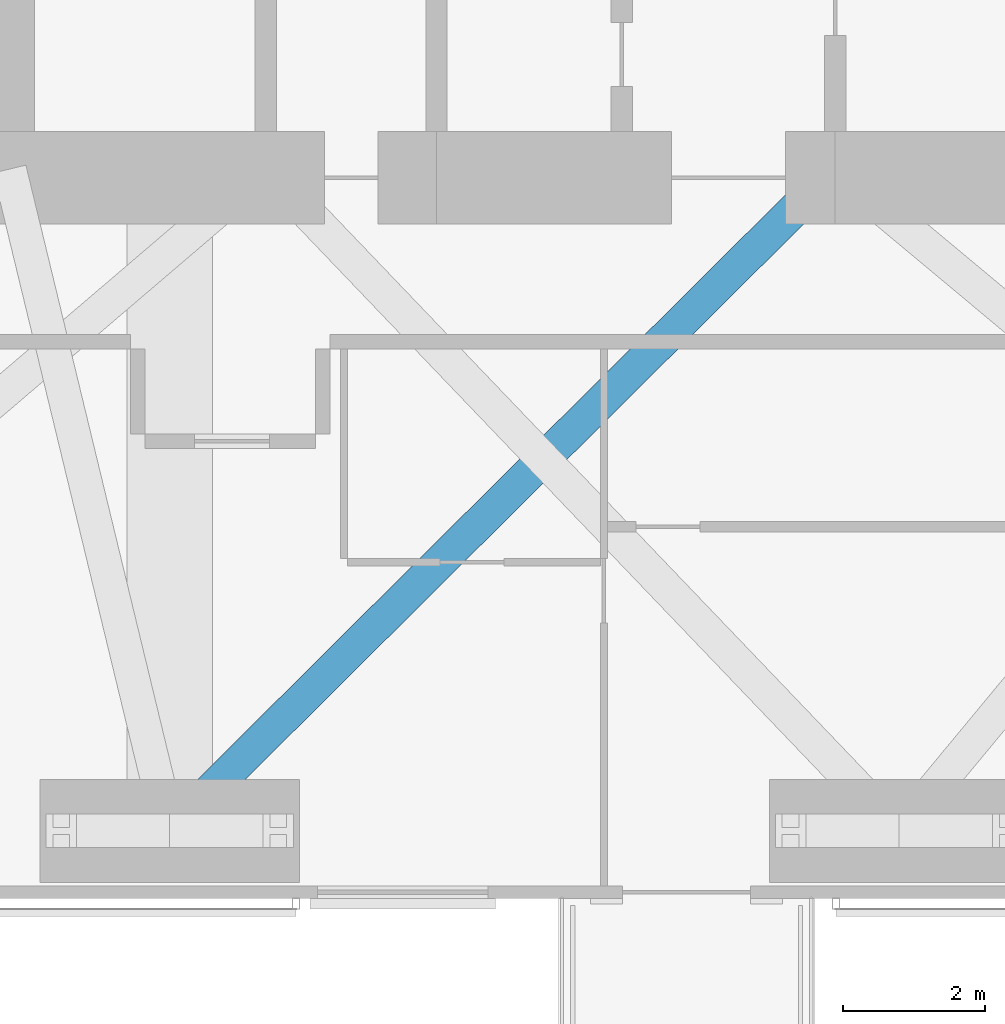
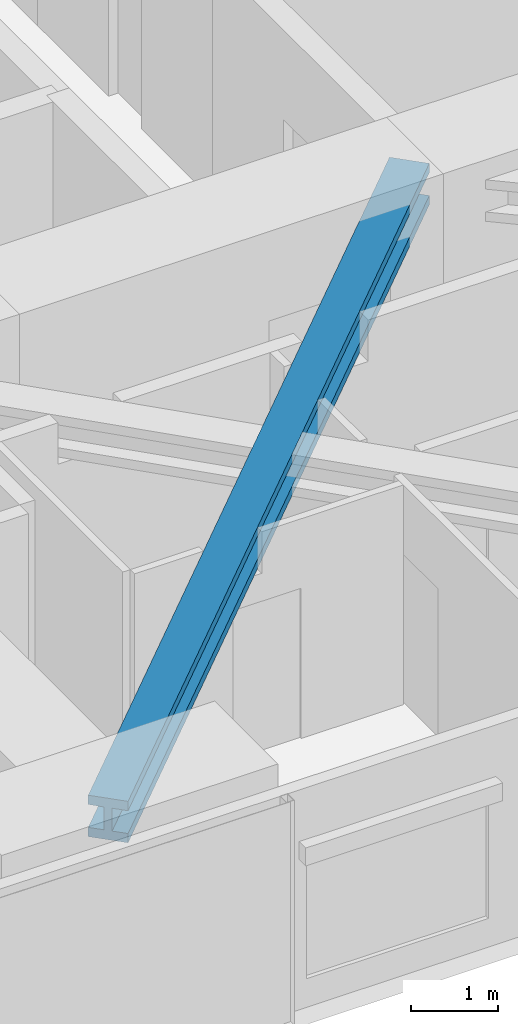
# One storey, part 3 of 22: 1 member.
"""IFC4 building model written with IfcOpenShell, lengths in metres."""

from ifc_helpers import new_model, si_unit, direction, frame, origin, origin_2d, place, context, subcontext, project, spatial, i_section, extrude, material, material_profile, profile_set, type_object, element, save


model = new_model("IFC4")

# Units and contexts
model_context = context("Model", 3, precision=1e-05, world=origin(), true_north=direction((0.0, 1.0)))
body_context = subcontext(model_context, "Body", "Model", "MODEL_VIEW")
ifc_project = project(units=[si_unit("LENGTHUNIT", "METRE"), si_unit("AREAUNIT", "SQUARE_METRE"), si_unit("VOLUMEUNIT", "CUBIC_METRE"), si_unit("PLANEANGLEUNIT", "RADIAN"), si_unit("MASSUNIT", "GRAM", prefix="KILO")], contexts=[model_context])

# Site, building, storey
site_placement = place(None, origin())
site = spatial("IfcSite", under=ifc_project, at=site_placement, CompositionType="ELEMENT")
building_placement = place(site_placement, origin())
building = spatial("IfcBuilding", under=site, at=building_placement, Name="Jalousie Tower", CompositionType="ELEMENT")
storey_placement = place(building_placement, frame((0.0, 0.0, 204.60009765625)))
storey = spatial("IfcBuildingStorey", under=building, at=storey_placement, Name="L56", CompositionType="ELEMENT", Elevation=204.60009765625)

# Member
ifc_material = material(Name="Steel ASTM A992 Grade 50", Category="steel")
ifc_material_profile = material_profile(ifc_material, i_section(OverallWidth=0.472412109375, OverallDepth=0.5791015625, WebThickness=0.094970703125, FlangeThickness=0.1298828125, at=origin_2d()), Name="W14X808")
ifc_profile_set = profile_set([ifc_material_profile], Name="Steel ASTM A992 Grade 50")
member_type = type_object("IfcMemberType", Name="KINK FLOOR TRUSS DIAGONAL W14X808", PredefinedType="BRACE", material=ifc_profile_set)
member_placement = place(storey_placement, frame((22.25, 0.949951171875, 2.7802734375), z_axis=(0.70900179328, 0.705206676887, 0.0), x_axis=(-0.705206676887, 0.70900179328, 0.0)))
element("IfcMember", 1, at=member_placement, inside=storey, type_object=member_type, Name="Kink floor truss L57 02 diagonal", PredefinedType="BRACE", context=body_context, shape_type="SweptSolid", body=[
    extrude(i_section(OverallWidth=0.472412109375, OverallDepth=0.5791015625, WebThickness=0.094970703125, FlangeThickness=0.1298828125, at=origin_2d()), origin(), (0.0, 0.0, 1.0), 13.187744140625),
])

save(model, "model.ifc")
